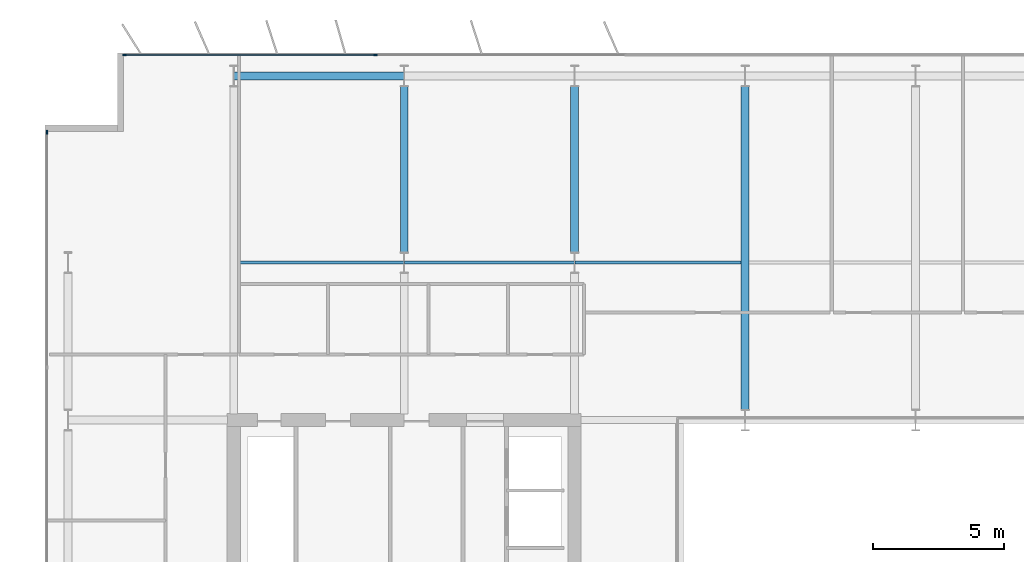
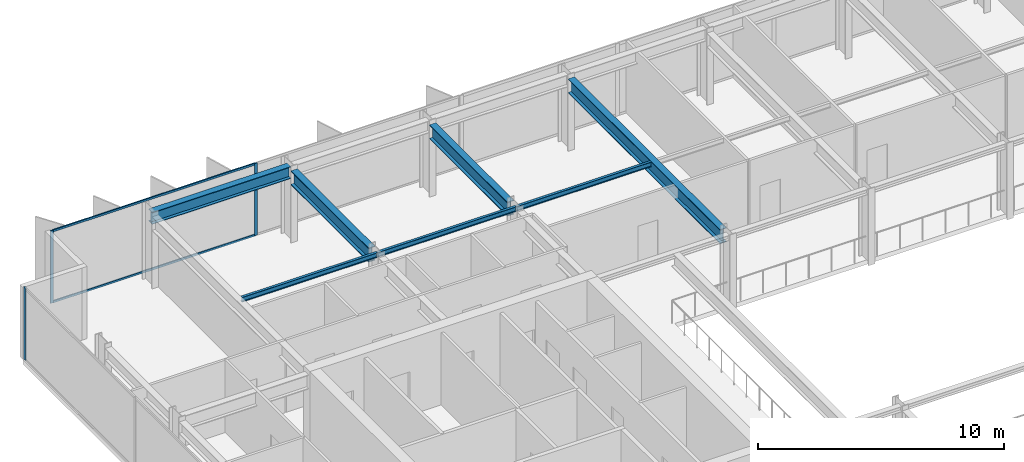
# One storey, part 10 of 23: 7 beams, 5 members, 2 elements without a shape of their own.
"""IFC4 building model written with IfcOpenShell, lengths in metres."""

from ifc_helpers import new_model, si_unit, direction, frame, origin, origin_2d, place, context, subcontext, project, spatial, rectangle, i_section, extrude, material, layer, layer_set, material_profile, profile_set, type_object, element, aggregate, save


model = new_model("IFC4")

# Units and contexts
model_context = context("Model", 3, precision=1e-05, world=origin(), true_north=direction((0.0, 1.0)))
body_context = subcontext(model_context, "Body", "Model", "MODEL_VIEW")
ifc_project = project(units=[si_unit("LENGTHUNIT", "METRE"), si_unit("AREAUNIT", "SQUARE_METRE"), si_unit("VOLUMEUNIT", "CUBIC_METRE"), si_unit("PLANEANGLEUNIT", "RADIAN"), si_unit("MASSUNIT", "GRAM", prefix="KILO")], contexts=[model_context])

# Site, building, storey
site_placement = place(None, origin())
site = spatial("IfcSite", under=ifc_project, at=site_placement, CompositionType="ELEMENT")
building_placement = place(site_placement, origin())
building = spatial("IfcBuilding", under=site, at=building_placement, Name="Putna Gate Headquarters", CompositionType="ELEMENT")
storey_placement = place(building_placement, frame((0.0, 0.0, 225.199951171875)))
storey = spatial("IfcBuildingStorey", under=building, at=storey_placement, Name="L56", CompositionType="ELEMENT", Elevation=225.199951171875)

# Beams
ifc_material_1 = material(Name="Steel S355J2", Category="steel")
ifc_material_profile_1 = material_profile(ifc_material_1, i_section(OverallWidth=0.300048828125, OverallDepth=0.699951171875, WebThickness=0.01708984375, FlangeThickness=0.031982421875, at=origin_2d()), Name="Steel S355J2")
ifc_profile_set_1 = profile_set([ifc_material_profile_1], Name="Steel S355J2")
beam_type_1 = type_object("IfcBeamType", Name="BM-GIRD-B-HEB700", PredefinedType="USERDEFINED", material=ifc_profile_set_1)
for number, where, z_axis, x_axis, name in (
    (1, (19.5, 39.39501953125, 3.22998046875), (0.0, 1.0, 0.0), (-1.0, 0.0, 0.0), "L56 North Primary Girder X19-2"),
    (2, (26.0, 39.39501953125, 3.22998046875), (0.0, 1.0, 0.0), (-1.0, 0.0, 0.0), "L56 North Primary Girder X26-2"),
):
    element("IfcBeam", number, at=place(storey_placement, frame(where, z_axis=z_axis, x_axis=x_axis)), inside=storey, type_object=beam_type_1, Name=name, ObjectType="GIRDER", PredefinedType="USERDEFINED", context=body_context, shape_type="SweptSolid", body=[
        extrude(i_section(OverallWidth=0.300048828125, OverallDepth=0.699951171875, WebThickness=0.01708984375, FlangeThickness=0.031982421875, at=origin_2d()), origin(), (0.0, 0.0, 1.0), 6.330078125),
    ])
beam_1_placement = place(storey_placement, frame((32.5, 33.39501953125, 3.22998046875), z_axis=(0.0, 1.0, 0.0), x_axis=(-1.0, 0.0, 0.0)))
element("IfcBeam", 3, at=beam_1_placement, inside=storey, type_object=beam_type_1, Name="L56 North Primary Girder X32", ObjectType="GIRDER", PredefinedType="USERDEFINED", context=body_context, shape_type="SweptSolid", body=[
    extrude(i_section(OverallWidth=0.300048828125, OverallDepth=0.699951171875, WebThickness=0.01708984375, FlangeThickness=0.031982421875, at=origin_2d()), origin(), (0.0, 0.0, 1.0), 12.330078125),
])
ifc_material_profile_2 = material_profile(ifc_material_1, i_section(OverallWidth=0.1201171875, OverallDepth=0.239990234375, WebThickness=0.006103515625, FlangeThickness=0.009765625, at=origin_2d()), Name="Steel S355J2")
ifc_profile_set_2 = profile_set([ifc_material_profile_2], Name="Steel S355J2")
beam_type_2 = type_object("IfcBeamType", Name="BM-SEC-Z4-IPE240", PredefinedType="JOIST", material=ifc_profile_set_2)
beam_2_placement = place(storey_placement, frame((13.154052734375, 39.0, 3.4599609375), z_axis=(1.0, 0.0, 0.0), x_axis=(0.0, 1.0, 0.0)))
element("IfcBeam", 4, at=beam_2_placement, inside=storey, type_object=beam_type_2, Name="L56 North Secondary Beam 1", PredefinedType="JOIST", context=body_context, shape_type="SweptSolid", body=[
    extrude(i_section(OverallWidth=0.1201171875, OverallDepth=0.239990234375, WebThickness=0.006103515625, FlangeThickness=0.009765625, at=origin_2d()), origin(), (0.0, 0.0, 1.0), 6.33984375),
])
beam_3_placement = place(storey_placement, frame((19.506103515625, 39.0, 3.4599609375), z_axis=(1.0, 0.0, 0.0), x_axis=(0.0, 1.0, 0.0)))
element("IfcBeam", 5, at=beam_3_placement, inside=storey, type_object=beam_type_2, Name="L56 North Secondary Beam 2", PredefinedType="JOIST", context=body_context, shape_type="SweptSolid", body=[
    extrude(i_section(OverallWidth=0.1201171875, OverallDepth=0.239990234375, WebThickness=0.006103515625, FlangeThickness=0.009765625, at=origin_2d()), origin(), (0.0, 0.0, 1.0), 6.48779296875),
])
beam_4_placement = place(storey_placement, frame((26.006103515625, 39.0, 3.4599609375), z_axis=(1.0, 0.0, 0.0), x_axis=(0.0, 1.0, 0.0)))
element("IfcBeam", 6, at=beam_4_placement, inside=storey, type_object=beam_type_2, Name="L56 North Secondary Beam 3", PredefinedType="JOIST", context=body_context, shape_type="SweptSolid", body=[
    extrude(i_section(OverallWidth=0.1201171875, OverallDepth=0.239990234375, WebThickness=0.006103515625, FlangeThickness=0.009765625, at=origin_2d()), origin(), (0.0, 0.0, 1.0), 6.33984375),
])
ifc_material_profile_3 = material_profile(ifc_material_1, i_section(OverallWidth=0.300048828125, OverallDepth=0.590087890625, WebThickness=0.012939453125, FlangeThickness=0.02490234375, at=origin_2d()), Name="Steel S355J2")
ifc_profile_set_3 = profile_set([ifc_material_profile_3], Name="Steel S355J2")
beam_type_3 = type_object("IfcBeamType", Name="BM-SPAN-Z4-HEA600", PredefinedType="SPANDREL", material=ifc_profile_set_3)
beam_5_placement = place(storey_placement, frame((13.006103515625, 46.1201171875, 3.28515625), z_axis=(1.0, 0.0, 0.0), x_axis=(0.0, 1.0, 0.0)))
element("IfcBeam", 7, at=beam_5_placement, inside=storey, type_object=beam_type_3, Name="L56 N Perimeter Spandrel 1", PredefinedType="SPANDREL", context=body_context, shape_type="SweptSolid", body=[
    extrude(i_section(OverallWidth=0.300048828125, OverallDepth=0.590087890625, WebThickness=0.012939453125, FlangeThickness=0.02490234375, at=origin_2d()), origin(), (0.0, 0.0, 1.0), 6.48779296875),
])

# Curtain wall, members
ifc_material_2 = material(Name="Anodised bronze aluminium curtain wall", Category="aluminium")
ifc_layer = layer(ifc_material_2, 0.139892578125)
ifc_layer_set = layer_set([ifc_layer], Name="Anodised bronze aluminium curtain wall")
curtain_wall_type = type_object("IfcCurtainWallType", Name="CW-SYS-Z4", PredefinedType="USERDEFINED", material=ifc_layer_set)
curtain_wall_1_placement = place(storey_placement, origin())
curtain_wall_1 = element("IfcCurtainWall", 8, at=curtain_wall_1_placement, inside=storey, type_object=curtain_wall_type, Name="L56 North West Curtain Wall", ObjectType="STICK CURTAIN WALL", PredefinedType="USERDEFINED")
ifc_material_3 = material(Name="Anodised bronze aluminium EN AW-6060", Category="aluminium")
ifc_material_profile_4 = material_profile(ifc_material_3, rectangle(XDim=0.06005859375, YDim=0.139892578125, at=origin_2d()), Name="Anodised bronze aluminium EN AW-6060")
ifc_profile_set_4 = profile_set([ifc_material_profile_4], Name="Anodised bronze aluminium EN AW-6060")
member_type_1 = type_object("IfcMemberType", Name="MULL-CWM-4", PredefinedType="MULLION", material=ifc_profile_set_4)
member_1_placement = place(storey_placement, frame((8.830078125, 46.919921875, 0.0), z_axis=(0.0, 0.0, 1.0), x_axis=(0.0, 1.0, 0.0)))
member_1 = element("IfcMember", 9, at=member_1_placement, type_object=member_type_1, Name="CWS-4 mullion 1", PredefinedType="MULLION", context=body_context, shape_type="SweptSolid", body=[
    extrude(rectangle(XDim=0.06005859375, YDim=0.139892578125, at=origin_2d()), origin(), (0.0, 0.0, 1.0), 3.580078125),
])
member_2_placement = place(storey_placement, frame((18.39990234375, 46.919921875, 0.0), z_axis=(0.0, 0.0, 1.0), x_axis=(0.0, 1.0, 0.0)))
member_2 = element("IfcMember", 10, at=member_2_placement, type_object=member_type_1, Name="CWS-4 mullion 2", PredefinedType="MULLION", context=body_context, shape_type="SweptSolid", body=[
    extrude(rectangle(XDim=0.06005859375, YDim=0.139892578125, at=origin_2d()), origin(), (0.0, 0.0, 1.0), 3.580078125),
])

# Curtain wall, member
curtain_wall_2_placement = place(storey_placement, origin())
curtain_wall_2 = element("IfcCurtainWall", 11, at=curtain_wall_2_placement, inside=storey, type_object=curtain_wall_type, Name="L56 West Curtain Wall", ObjectType="STICK CURTAIN WALL", PredefinedType="USERDEFINED")
member_3_placement = place(storey_placement, frame((5.8798828125, 43.969970703125, 0.0), z_axis=(0.0, 0.0, 1.0), x_axis=(-1.0, 0.0, 0.0)))
member_3 = element("IfcMember", 12, at=member_3_placement, type_object=member_type_1, Name="CWS-4 mullion 5", PredefinedType="MULLION", context=body_context, shape_type="SweptSolid", body=[
    extrude(rectangle(XDim=0.06005859375, YDim=0.139892578125, at=origin_2d()), origin(), (0.0, 0.0, 1.0), 3.580078125),
])
aggregate(curtain_wall_2, [member_3])

# Member
ifc_material_profile_5 = material_profile(ifc_material_3, rectangle(XDim=0.06005859375, YDim=0.10009765625, at=origin_2d()), Name="Anodised bronze aluminium EN AW-6060")
ifc_profile_set_5 = profile_set([ifc_material_profile_5], Name="Anodised bronze aluminium EN AW-6060")
member_type_2 = type_object("IfcMemberType", Name="TRAN-CWT-4", PredefinedType="USERDEFINED", material=ifc_profile_set_5)
member_4_placement = place(storey_placement, frame((8.860107421875, 46.919921875, 0.030029296875), z_axis=(1.0, 0.0, 0.0), x_axis=(0.0, 1.0, 0.0)))
member_4 = element("IfcMember", 13, at=member_4_placement, type_object=member_type_2, Name="CWS-4 transom 1.1", ObjectType="TRANSOM", PredefinedType="USERDEFINED", context=body_context, shape_type="SweptSolid", body=[
    extrude(rectangle(XDim=0.06005859375, YDim=0.10009765625, at=origin_2d()), origin(), (0.0, 0.0, 1.0), 9.510009765625),
])

member_5_placement = place(storey_placement, frame((8.860107421875, 46.919921875, 3.550048828125), z_axis=(1.0, 0.0, 0.0), x_axis=(0.0, 1.0, 0.0)))
member_5 = element("IfcMember", 14, at=member_5_placement, type_object=member_type_2, Name="CWS-4 transom 1.2", ObjectType="TRANSOM", PredefinedType="USERDEFINED", context=body_context, shape_type="SweptSolid", body=[
    extrude(rectangle(XDim=0.06005859375, YDim=0.10009765625, at=origin_2d()), origin(), (0.0, 0.0, 1.0), 9.510009765625),
])

aggregate(curtain_wall_1, [member_1, member_2, member_4, member_5])

save(model, "model.ifc")
